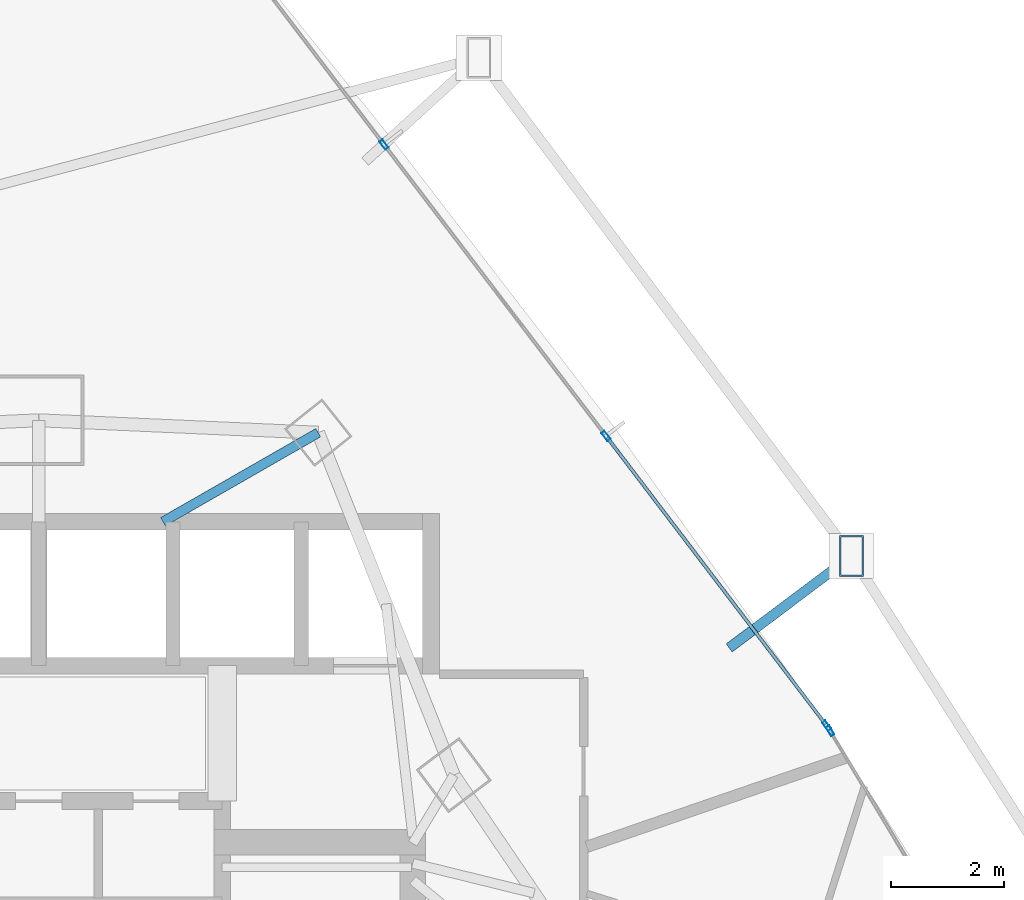
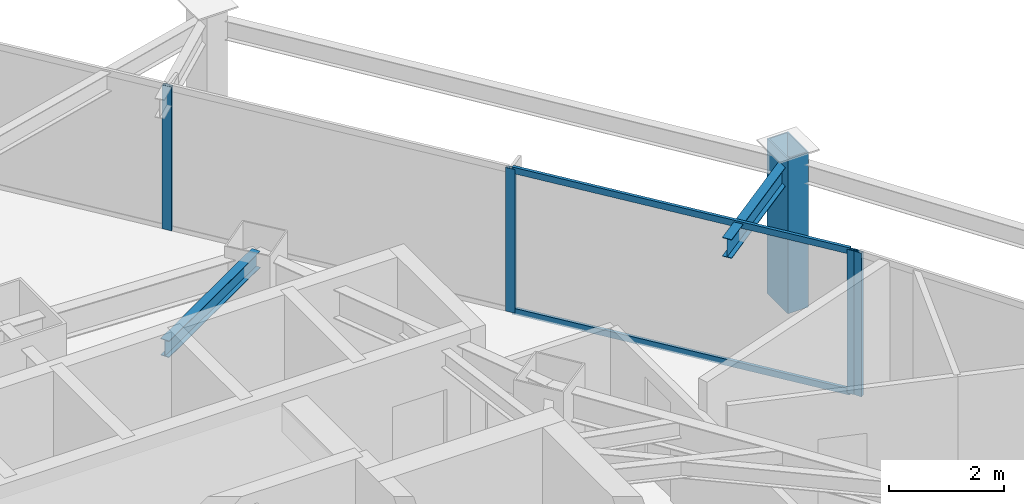
# One storey, part 27 of 35: 7 members, 2 beams, 2 elements without a shape of their own.
"""IFC4 building model written with IfcOpenShell, lengths in metres."""

from ifc_helpers import new_model, si_unit, direction, frame, origin, origin_2d, place, context, subcontext, project, spatial, hollow_rectangle, i_section, extrude, material, layer, layer_set, material_profile, profile_set, type_object, element, aggregate, save


model = new_model("IFC4")

# Units and contexts
model_context = context("Model", 3, precision=1e-05, world=origin(), true_north=direction((0.0, 1.0)))
body_context = subcontext(model_context, "Body", "Model", "MODEL_VIEW")
ifc_project = project(units=[si_unit("LENGTHUNIT", "METRE"), si_unit("AREAUNIT", "SQUARE_METRE"), si_unit("VOLUMEUNIT", "CUBIC_METRE"), si_unit("PLANEANGLEUNIT", "RADIAN"), si_unit("MASSUNIT", "GRAM", prefix="KILO")], contexts=[model_context])

# Site, building, storey
site_placement = place(None, origin())
site = spatial("IfcSite", under=ifc_project, at=site_placement, CompositionType="ELEMENT")
building_placement = place(site_placement, origin())
building = spatial("IfcBuilding", under=site, at=building_placement, Name="Orvanel Arch Residences", CompositionType="ELEMENT")
storey_placement = place(building_placement, frame((0.0, 0.0, 40.10009765625)))
storey = spatial("IfcBuildingStorey", under=building, at=storey_placement, Name="L10", CompositionType="ELEMENT", Elevation=40.10009765625)

# Beam
ifc_material_1 = material(Name="Structural steel AS/NZS 3679.1 Grade 300 (300 MPa)", Category="steel")
ifc_material_profile_1 = material_profile(ifc_material_1, i_section(OverallWidth=0.1708984375, OverallDepth=0.35595703125, WebThickness=0.00732421875, FlangeThickness=0.011474609375, at=origin_2d()), Name="360UB50.7")
ifc_profile_set_1 = profile_set([ifc_material_profile_1], Name="Structural steel AS/NZS 3679.1 Grade 300 (300 MPa)")
beam_type_1 = type_object("IfcBeamType", Name="BJ-360UB", PredefinedType="JOIST", material=ifc_profile_set_1)
beam_1_placement = place(storey_placement, frame((35.199951171875, 39.60009765625, 2.8818359375), z_axis=(0.86736513383, 0.497672306458, 0.0), x_axis=(-0.497672306458, 0.86736513383, 0.0)))
element("IfcBeam", 1, at=beam_1_placement, inside=storey, type_object=beam_type_1, Name="L10 MNE Wing Floor Joist", PredefinedType="JOIST", context=body_context, shape_type="SweptSolid", body=[
    extrude(i_section(OverallWidth=0.1708984375, OverallDepth=0.35595703125, WebThickness=0.00732421875, FlangeThickness=0.011474609375, at=origin_2d()), origin(), (0.0, 0.0, 1.0), 3.17041015625),
])

# Member
ifc_material_2 = material(Name="Structural steel AS/NZS 3678 Grade 350", Category="steel")
ifc_material_profile_2 = material_profile(ifc_material_2, hollow_rectangle(XDim=0.419921875, YDim=0.719970703125, WallThickness=0.02490234375, at=origin_2d()), Name="RHS720x420x25")
ifc_profile_set_2 = profile_set([ifc_material_profile_2], Name="Structural steel AS/NZS 3678 Grade 350")
member_type_1 = type_object("IfcMemberType", Name="CH-720RHS-EXT", PredefinedType="CHORD", material=ifc_profile_set_2)
member_1_placement = place(storey_placement, frame((47.39794921875, 38.992919921875, 0.0), z_axis=(0.0, 0.0, 1.0), x_axis=(1.0, 0.0, 0.0)))
element("IfcMember", 2, at=member_1_placement, inside=storey, type_object=member_type_1, Name="L10 Outer Perimeter Frame Post 11", PredefinedType="CHORD", context=body_context, shape_type="SweptSolid", body=[
    extrude(hollow_rectangle(XDim=0.419921875, YDim=0.719970703125, WallThickness=0.02490234375, at=origin_2d()), origin(), (0.0, 0.0, 1.0), 3.2998046875),
])

# Curtain wall, member
ifc_material_3 = material(Name="Bronze-anodised aluminium AA6063-T6", Category="aluminium")
ifc_layer = layer(ifc_material_3, 0.179931640625)
ifc_layer_set = layer_set([ifc_layer], Name="Bronze-anodised aluminium AA6063-T6")
curtain_wall_type = type_object("IfcCurtainWallType", Name="CW2-LOW-SYS", PredefinedType="NOTDEFINED", material=ifc_layer_set)
curtain_wall_1_placement = place(storey_placement, origin())
curtain_wall_1 = element("IfcCurtainWall", 3, at=curtain_wall_1_placement, inside=storey, type_object=curtain_wall_type, Name="L10 CW2-LOW-SYS Unitised Curtain Wall", PredefinedType="NOTDEFINED")
ifc_material_profile_3 = material_profile(ifc_material_3, hollow_rectangle(XDim=0.070068359375, YDim=0.179931640625, WallThickness=0.00439453125, at=origin_2d()), Name="ALU180x70x4.5")
ifc_profile_set_3 = profile_set([ifc_material_profile_3], Name="Bronze-anodised aluminium AA6063-T6")
member_type_2 = type_object("IfcMemberType", Name="MUL-180x70", PredefinedType="MULLION", material=ifc_profile_set_3)
member_2_placement = place(storey_placement, frame((47.01904296875, 35.89697265625, 0.0), z_axis=(0.0, 0.0, 1.0), x_axis=(-0.857554559604, -0.514393018326, 0.0)))
member_2 = element("IfcMember", 4, at=member_2_placement, type_object=member_type_2, Name="CW-S2 mullion 3", PredefinedType="MULLION", context=body_context, shape_type="SweptSolid", body=[
    extrude(hollow_rectangle(XDim=0.070068359375, YDim=0.179931640625, WallThickness=0.00439453125, at=origin_2d()), origin(), (0.0, 0.0, 1.0), 3.059814453125),
])
aggregate(curtain_wall_1, [member_2])

# Curtain wall, members
curtain_wall_2_placement = place(storey_placement, origin())
curtain_wall_2 = element("IfcCurtainWall", 5, at=curtain_wall_2_placement, inside=storey, type_object=curtain_wall_type, Name="L10 CW2-LOW-SYS Unitised Curtain Wall", PredefinedType="NOTDEFINED")
member_3_placement = place(storey_placement, frame((46.957763671875, 35.98779296875, 0.0), z_axis=(0.0, 0.0, 1.0), x_axis=(-0.795451769988, -0.606016898793, 0.0)))
member_3 = element("IfcMember", 6, at=member_3_placement, type_object=member_type_2, Name="CW-S2 mullion 1", PredefinedType="MULLION", context=body_context, shape_type="SweptSolid", body=[
    extrude(hollow_rectangle(XDim=0.070068359375, YDim=0.179931640625, WallThickness=0.00439453125, at=origin_2d()), origin(), (0.0, 0.0, 1.0), 3.059814453125),
])
member_4_placement = place(storey_placement, frame((43.04736328125, 41.12060546875, 0.0), z_axis=(0.0, 0.0, 1.0), x_axis=(-0.795451769988, -0.606016898793, 0.0)))
member_4 = element("IfcMember", 7, at=member_4_placement, type_object=member_type_2, Name="CW-S2 mullion 2", PredefinedType="MULLION", context=body_context, shape_type="SweptSolid", body=[
    extrude(hollow_rectangle(XDim=0.070068359375, YDim=0.179931640625, WallThickness=0.00439453125, at=origin_2d()), origin(), (0.0, 0.0, 1.0), 3.059814453125),
])
member_5_placement = place(storey_placement, frame((39.11572265625, 46.28125, 0.0), z_axis=(0.0, 0.0, 1.0), x_axis=(-0.795451769988, -0.606016898793, 0.0)))
member_5 = element("IfcMember", 8, at=member_5_placement, type_object=member_type_2, Name="CW-S2 mullion 3", PredefinedType="MULLION", context=body_context, shape_type="SweptSolid", body=[
    extrude(hollow_rectangle(XDim=0.070068359375, YDim=0.179931640625, WallThickness=0.00439453125, at=origin_2d()), origin(), (0.0, 0.0, 1.0), 3.059814453125),
])

# Beam
ifc_material_profile_4 = material_profile(ifc_material_1, i_section(OverallWidth=0.177978515625, OverallDepth=0.406005859375, WebThickness=0.0078125, FlangeThickness=0.0126953125, at=origin_2d()), Name="410UB59.7")
ifc_profile_set_4 = profile_set([ifc_material_profile_4], Name="Structural steel AS/NZS 3679.1 Grade 300 (300 MPa)")
beam_type_2 = type_object("IfcBeamType", Name="OB-410UB-EXT", PredefinedType="SPANDREL", material=ifc_profile_set_4)
beam_2_placement = place(storey_placement, frame((45.22998046875, 37.364990234375, 2.85693359375), z_axis=(0.799654070784, 0.600460962161, 0.0), x_axis=(-0.600460962161, 0.799654070784, 0.0)))
element("IfcBeam", 9, at=beam_2_placement, inside=storey, type_object=beam_type_2, Name="L10 Outer Frame Radial Tie Beam 11", PredefinedType="SPANDREL", context=body_context, shape_type="SweptSolid", body=[
    extrude(i_section(OverallWidth=0.177978515625, OverallDepth=0.406005859375, WebThickness=0.0078125, FlangeThickness=0.0126953125, at=origin_2d()), origin(), (0.0, 0.0, 1.0), 2.711181640625),
])

# Member
ifc_material_profile_5 = material_profile(ifc_material_3, hollow_rectangle(XDim=0.06005859375, YDim=0.135009765625, WallThickness=0.00390625, at=origin_2d()), Name="ALU135x60x4")
ifc_profile_set_5 = profile_set([ifc_material_profile_5], Name="Bronze-anodised aluminium AA6063-T6")
member_type_3 = type_object("IfcMemberType", Name="TRN-135x60", PredefinedType="USERDEFINED", material=ifc_profile_set_5)
member_6_placement = place(storey_placement, frame((46.9365234375, 36.015625, 0.02978515625), z_axis=(-0.606005183428, 0.795460695232, 0.0), x_axis=(-0.795460695232, -0.606005183428, 0.0)))
member_6 = element("IfcMember", 10, at=member_6_placement, type_object=member_type_3, Name="CW-S2 transom 1.1", ObjectType="TRANSOM", PredefinedType="USERDEFINED", context=body_context, shape_type="SweptSolid", body=[
    extrude(hollow_rectangle(XDim=0.06005859375, YDim=0.135009765625, WallThickness=0.00390625, at=origin_2d()), origin(), (0.0, 0.0, 1.0), 6.382568359375),
])

member_7_placement = place(storey_placement, frame((46.9365234375, 36.015625, 3.02978515625), z_axis=(-0.606005183428, 0.795460695232, 0.0), x_axis=(-0.795460695232, -0.606005183428, 0.0)))
member_7 = element("IfcMember", 11, at=member_7_placement, type_object=member_type_3, Name="CW-S2 transom 1.2", ObjectType="TRANSOM", PredefinedType="USERDEFINED", context=body_context, shape_type="SweptSolid", body=[
    extrude(hollow_rectangle(XDim=0.06005859375, YDim=0.135009765625, WallThickness=0.00390625, at=origin_2d()), origin(), (0.0, 0.0, 1.0), 6.382568359375),
])

aggregate(curtain_wall_2, [member_3, member_4, member_5, member_6, member_7])

save(model, "model.ifc")
